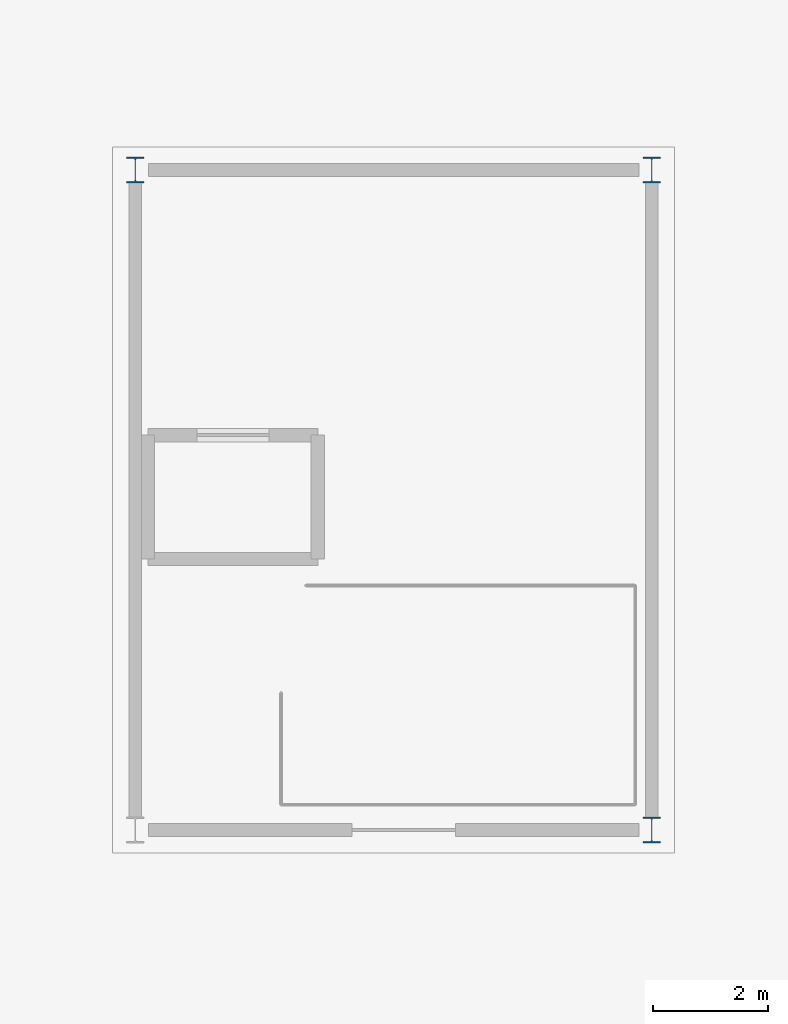
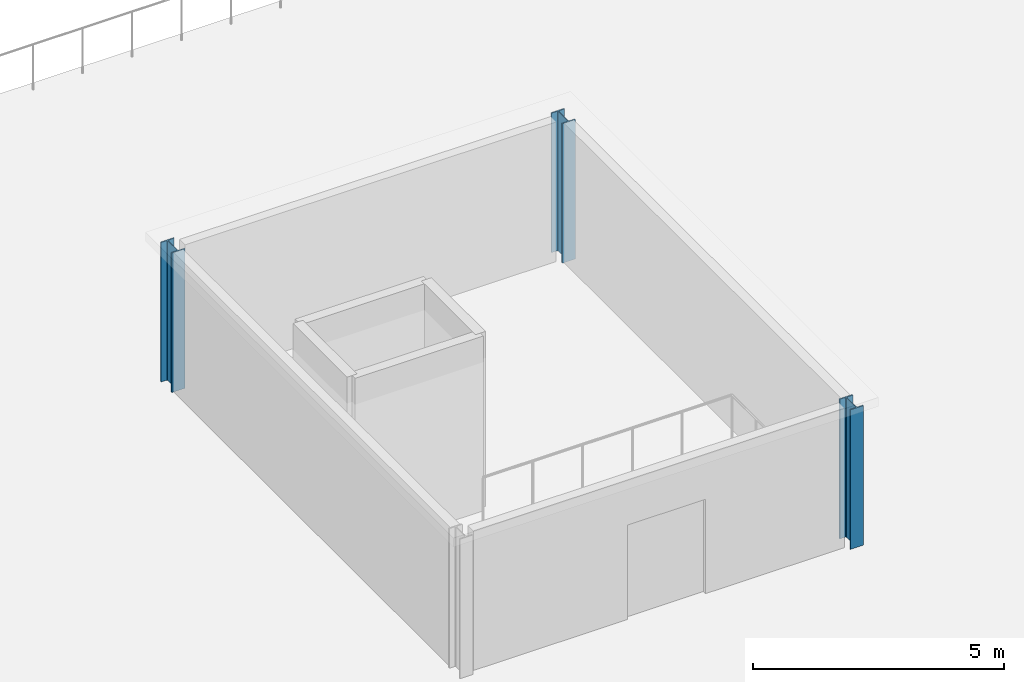
# One storey, part 9 of 105: 3 columns.
"""IFC4 building model written with IfcOpenShell, lengths in metres."""

from ifc_helpers import new_model, si_unit, direction, frame, origin, origin_2d, place, context, subcontext, project, spatial, i_section, extrude, material, material_profile, profile_set, type_object, element, save


model = new_model("IFC4")

# Units and contexts
model_context = context("Model", 3, precision=1e-05, world=origin(), true_north=direction((0.0, 1.0)))
body_context = subcontext(model_context, "Body", "Model", "MODEL_VIEW")
ifc_project = project(units=[si_unit("LENGTHUNIT", "METRE"), si_unit("AREAUNIT", "SQUARE_METRE"), si_unit("VOLUMEUNIT", "CUBIC_METRE"), si_unit("PLANEANGLEUNIT", "RADIAN"), si_unit("MASSUNIT", "GRAM", prefix="KILO")], contexts=[model_context])

# Site, building, storey
site_placement = place(None, origin())
site = spatial("IfcSite", under=ifc_project, at=site_placement, CompositionType="ELEMENT")
building_placement = place(site_placement, origin())
building = spatial("IfcBuilding", under=site, at=building_placement, Name="Marlcrest Central Station", CompositionType="ELEMENT")
storey_placement = place(building_placement, frame((0.0, 0.0, 15.0)))
storey = spatial("IfcBuildingStorey", under=building, at=storey_placement, Name="L03", CompositionType="ELEMENT", Elevation=15.0)

# Columns
ifc_material = material(Name="Steel S355", Category="steel")
ifc_material_profile = material_profile(ifc_material, i_section(OverallWidth=0.300048828125, OverallDepth=0.449951171875, WebThickness=0.013916015625, FlangeThickness=0.02587890625, FilletRadius=0.027099609375, at=origin_2d()), Name="HEB 450")
ifc_profile_set = profile_set([ifc_material_profile], Name="Steel S355")
column_type = type_object("IfcColumnType", Name="SC-02", PredefinedType="COLUMN", material=ifc_profile_set)
for number, where, z_axis, x_axis, name in (
    (1, (171.0, 22.5, 0.0), (0.0, 0.0, 1.0), (1.0, 0.0, 0.0), "col-l03-pav-171-22"),
    (2, (180.0, 11.0, 0.0), (0.0, 0.0, 1.0), (1.0, 0.0, 0.0), "col-l03-pav-180-11"),
    (3, (180.0, 22.5, 0.0), (0.0, 0.0, 1.0), (1.0, 0.0, 0.0), "col-l03-pav-180-22"),
):
    element("IfcColumn", number, at=place(storey_placement, frame(where, z_axis=z_axis, x_axis=x_axis)), inside=storey, type_object=column_type, Name=name, PredefinedType="COLUMN", context=body_context, shape_type="SweptSolid", body=[
        extrude(i_section(OverallWidth=0.300048828125, OverallDepth=0.449951171875, WebThickness=0.013916015625, FlangeThickness=0.02587890625, FilletRadius=0.027099609375, at=origin_2d()), origin(), (0.0, 0.0, 1.0), 3.39990234375),
    ])

save(model, "model.ifc")
